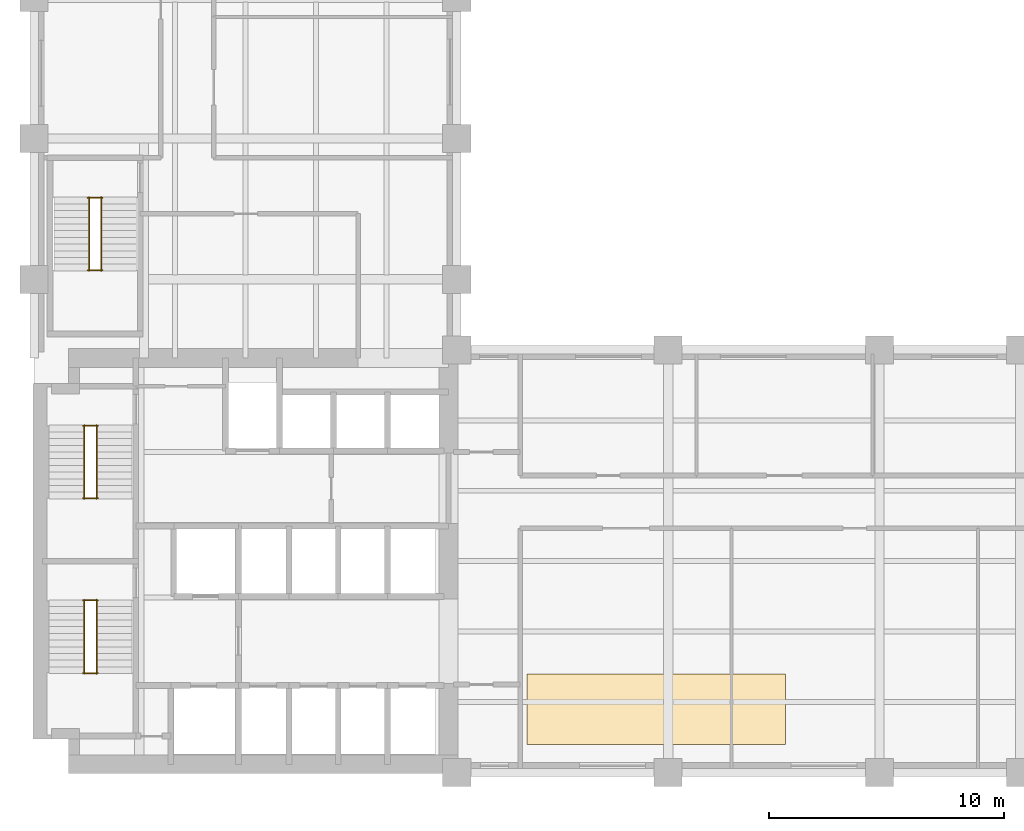
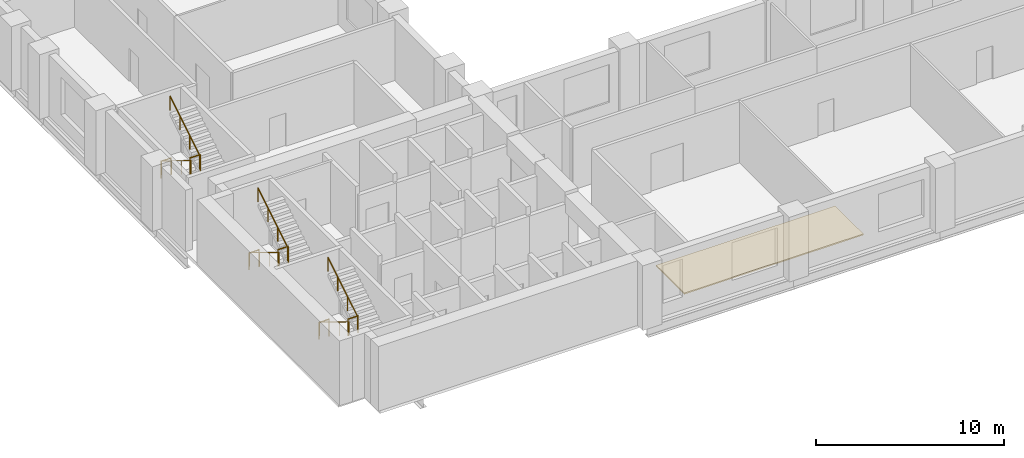
# One storey, part 7 of 7: 12 railings, 1 covering.
"""IFC4 building model written with IfcOpenShell, lengths in metres."""

from ifc_helpers import new_model, si_unit, direction, frame, origin, origin_2d, place, context, subcontext, project, spatial, polyline, circle, outline, extrude, material, layer, layer_set, type_object, element, save


model = new_model("IFC4")

# Units and contexts
model_context = context("Model", 3, precision=1e-05, world=origin(), true_north=direction((0.0, 1.0)))
body_context = subcontext(model_context, "Body", "Model", "MODEL_VIEW")
ifc_project = project(units=[si_unit("LENGTHUNIT", "METRE"), si_unit("AREAUNIT", "SQUARE_METRE"), si_unit("VOLUMEUNIT", "CUBIC_METRE"), si_unit("PLANEANGLEUNIT", "RADIAN"), si_unit("MASSUNIT", "GRAM", prefix="KILO")], contexts=[model_context])

# Site, building, storey
site_placement = place(None, origin())
site = spatial("IfcSite", under=ifc_project, at=site_placement, CompositionType="ELEMENT")
building_placement = place(site_placement, origin())
building = spatial("IfcBuilding", under=site, at=building_placement, Name="Mawjdan Bourse Tower", CompositionType="ELEMENT")
storey_placement = place(building_placement, frame((0.0, 0.0, 46.800048828125)))
storey = spatial("IfcBuildingStorey", under=building, at=storey_placement, Name="L10", CompositionType="ELEMENT", Elevation=46.800048828125)

# Covering
ifc_material_1 = material(Name="Calcium Sulphate Antistatic Raised Floor Tile")
ifc_layer = layer(ifc_material_1, 0.080078125)
ifc_layer_set = layer_set([ifc_layer], Name="Calcium Sulphate Antistatic Raised Floor Tile")
covering_type = type_object("IfcCoveringType", Name="COV-FLR-450", PredefinedType="FLOORING", material=ifc_layer_set)
covering_placement = place(storey_placement, origin())
element("IfcCovering", 1, at=covering_placement, inside=storey, type_object=covering_type, Name="L10 Antistatic Raised Access Trading Floor", PredefinedType="FLOORING", context=body_context, shape_type="SweptSolid", body=[
    extrude(outline(polyline([(27.0, 4.199951171875), (38.0, 4.199951171875), (38.0, 7.199951171875), (27.0, 7.199951171875), (27.0, 4.199951171875)])), origin(), (0.0, 0.0, 1.0), 0.079833984375),
])

# Railings
ifc_material_2 = material(Name="Structural Steel S355", Category="steel")
railing_type_1 = type_object("IfcRailingType", Name="RLG-GRD-1100", PredefinedType="GUARDRAIL", material=ifc_material_2)
for number, where, name in (
    (2, (8.090087890625, 7.235107421875, 2.099853515625), "L10 ST1 Landing Guardrail GL-MID"),
    (3, (8.090087890625, 10.330078125, 0.0), "L10 ST1 Landing Guardrail GL-BOT"),
    (4, (8.090087890625, 14.675048828125, 2.099853515625), "L10 ST2 Landing Guardrail GL-MID"),
    (5, (8.090087890625, 17.77001953125, 0.0), "L10 ST2 Landing Guardrail GL-BOT"),
    (6, (8.2900390625, 24.385009765625, 2.099853515625), "L10 ST3 Landing Guardrail GL-MID"),
    (7, (8.2900390625, 27.47998046875, 0.0), "L10 ST3 Landing Guardrail GL-BOT"),
):
    element("IfcRailing", number, at=place(storey_placement, frame(where)), inside=storey, type_object=railing_type_1, Name=name, PredefinedType="GUARDRAIL", context=body_context, shape_type="SweptSolid", body=[
        extrude(circle(Radius=0.02490234375, at=origin_2d()), frame((0.0, 0.0, 1.0751953125), z_axis=(1.0, 0.0, 0.0), x_axis=(0.0, 1.0, 0.0)), (0.0, 0.0, 1.0), 0.619873046875),
        extrude(circle(Radius=0.02099609375, at=origin_2d()), origin(), (0.0, 0.0, 1.0), 1.050048828125),
        extrude(circle(Radius=0.02099609375, at=origin_2d()), frame((0.619873046875, 0.0, 0.0)), (0.0, 0.0, 1.0), 1.050048828125),
    ])
ifc_material_3 = material(Name="Brushed Stainless Steel", Category="steel")
railing_type_2 = type_object("IfcRailingType", Name="RLG-HND-920", PredefinedType="HANDRAIL", material=ifc_material_3)
railing_1_placement = place(storey_placement, frame((8.139892578125, 10.35009765625, 0.175048828125)))
element("IfcRailing", 8, at=railing_1_placement, inside=storey, type_object=railing_type_2, Name="L10 ST1 Flight Handrail HR1", PredefinedType="HANDRAIL", context=body_context, shape_type="SweptSolid", body=[
    extrude(circle(Radius=0.0224609375, at=origin_2d()), frame((0.0, 0.0, 0.8974609375), z_axis=(0.0, -0.852195625947, 0.523223293744), x_axis=(1.0, 0.0, 0.0)), (0.0, 0.0, 1.0), 3.6787109375),
    extrude(circle(Radius=0.01904296875, at=origin_2d()), origin(), (0.0, 0.0, 1.0), 0.875),
    extrude(circle(Radius=0.01904296875, at=origin_2d()), frame((0.0, -1.044921875, 0.6416015625)), (0.0, 0.0, 1.0), 0.875),
    extrude(circle(Radius=0.01904296875, at=origin_2d()), frame((0.0, -2.090087890625, 1.283203125)), (0.0, 0.0, 1.0), 0.875),
    extrude(circle(Radius=0.01904296875, at=origin_2d()), frame((0.0, -3.135009765625, 1.9248046875)), (0.0, 0.0, 1.0), 0.875),
])
railing_2_placement = place(storey_placement, frame((8.659912109375, 7.215087890625, 2.27490234375)))
element("IfcRailing", 9, at=railing_2_placement, inside=storey, type_object=railing_type_2, Name="L10 ST1 Flight Handrail HR2", PredefinedType="HANDRAIL", context=body_context, shape_type="SweptSolid", body=[
    extrude(circle(Radius=0.0224609375, at=origin_2d()), frame((0.0, 0.0, 0.8974609375), z_axis=(0.0, 0.852166034122, 0.523271488128), x_axis=(-1.0, 0.0, 0.0)), (0.0, 0.0, 1.0), 3.678955078125),
    extrude(circle(Radius=0.01904296875, at=origin_2d()), origin(), (0.0, 0.0, 1.0), 0.875),
    extrude(circle(Radius=0.01904296875, at=origin_2d()), frame((0.0, 1.044921875, 0.6416015625)), (0.0, 0.0, 1.0), 0.875),
    extrude(circle(Radius=0.01904296875, at=origin_2d()), frame((0.0, 2.090087890625, 1.283447265625)), (0.0, 0.0, 1.0), 0.875),
    extrude(circle(Radius=0.01904296875, at=origin_2d()), frame((0.0, 3.135009765625, 1.925048828125)), (0.0, 0.0, 1.0), 0.875),
])
railing_3_placement = place(storey_placement, frame((8.139892578125, 17.7900390625, 0.175048828125)))
element("IfcRailing", 10, at=railing_3_placement, inside=storey, type_object=railing_type_2, Name="L10 ST2 Flight Handrail HR1", PredefinedType="HANDRAIL", context=body_context, shape_type="SweptSolid", body=[
    extrude(circle(Radius=0.0224609375, at=origin_2d()), frame((0.0, 0.0, 0.8974609375), z_axis=(0.0, -0.852195625947, 0.523223293744), x_axis=(1.0, 0.0, 0.0)), (0.0, 0.0, 1.0), 3.6787109375),
    extrude(circle(Radius=0.01904296875, at=origin_2d()), origin(), (0.0, 0.0, 1.0), 0.875),
    extrude(circle(Radius=0.01904296875, at=origin_2d()), frame((0.0, -1.044921875, 0.6416015625)), (0.0, 0.0, 1.0), 0.875),
    extrude(circle(Radius=0.01904296875, at=origin_2d()), frame((0.0, -2.090087890625, 1.283203125)), (0.0, 0.0, 1.0), 0.875),
    extrude(circle(Radius=0.01904296875, at=origin_2d()), frame((0.0, -3.135009765625, 1.9248046875)), (0.0, 0.0, 1.0), 0.875),
])
railing_4_placement = place(storey_placement, frame((8.659912109375, 14.655029296875, 2.27490234375)))
element("IfcRailing", 11, at=railing_4_placement, inside=storey, type_object=railing_type_2, Name="L10 ST2 Flight Handrail HR2", PredefinedType="HANDRAIL", context=body_context, shape_type="SweptSolid", body=[
    extrude(circle(Radius=0.0224609375, at=origin_2d()), frame((0.0, 0.0, 0.8974609375), z_axis=(0.0, 0.852166034122, 0.523271488128), x_axis=(-1.0, 0.0, 0.0)), (0.0, 0.0, 1.0), 3.678955078125),
    extrude(circle(Radius=0.01904296875, at=origin_2d()), origin(), (0.0, 0.0, 1.0), 0.875),
    extrude(circle(Radius=0.01904296875, at=origin_2d()), frame((0.0, 1.044921875, 0.6416015625)), (0.0, 0.0, 1.0), 0.875),
    extrude(circle(Radius=0.01904296875, at=origin_2d()), frame((0.0, 2.090087890625, 1.283447265625)), (0.0, 0.0, 1.0), 0.875),
    extrude(circle(Radius=0.01904296875, at=origin_2d()), frame((0.0, 3.135009765625, 1.925048828125)), (0.0, 0.0, 1.0), 0.875),
])
railing_5_placement = place(storey_placement, frame((8.340087890625, 27.5, 0.175048828125)))
element("IfcRailing", 12, at=railing_5_placement, inside=storey, type_object=railing_type_2, Name="L10 ST3 Flight Handrail HR1", PredefinedType="HANDRAIL", context=body_context, shape_type="SweptSolid", body=[
    extrude(circle(Radius=0.0224609375, at=origin_2d()), frame((0.0, 0.0, 0.8974609375), z_axis=(0.0, -0.852195625947, 0.523223293744), x_axis=(1.0, 0.0, 0.0)), (0.0, 0.0, 1.0), 3.6787109375),
    extrude(circle(Radius=0.01904296875, at=origin_2d()), origin(), (0.0, 0.0, 1.0), 0.875),
    extrude(circle(Radius=0.01904296875, at=origin_2d()), frame((0.0, -1.044921875, 0.6416015625)), (0.0, 0.0, 1.0), 0.875),
    extrude(circle(Radius=0.01904296875, at=origin_2d()), frame((0.0, -2.090087890625, 1.283203125)), (0.0, 0.0, 1.0), 0.875),
    extrude(circle(Radius=0.01904296875, at=origin_2d()), frame((0.0, -3.135009765625, 1.9248046875)), (0.0, 0.0, 1.0), 0.875),
])
railing_6_placement = place(storey_placement, frame((8.860107421875, 24.364990234375, 2.27490234375)))
element("IfcRailing", 13, at=railing_6_placement, inside=storey, type_object=railing_type_2, Name="L10 ST3 Flight Handrail HR2", PredefinedType="HANDRAIL", context=body_context, shape_type="SweptSolid", body=[
    extrude(circle(Radius=0.0224609375, at=origin_2d()), frame((0.0, 0.0, 0.8974609375), z_axis=(0.0, 0.852166034122, 0.523271488128), x_axis=(-1.0, 0.0, 0.0)), (0.0, 0.0, 1.0), 3.678955078125),
    extrude(circle(Radius=0.01904296875, at=origin_2d()), origin(), (0.0, 0.0, 1.0), 0.875),
    extrude(circle(Radius=0.01904296875, at=origin_2d()), frame((0.0, 1.044921875, 0.6416015625)), (0.0, 0.0, 1.0), 0.875),
    extrude(circle(Radius=0.01904296875, at=origin_2d()), frame((0.0, 2.090087890625, 1.283447265625)), (0.0, 0.0, 1.0), 0.875),
    extrude(circle(Radius=0.01904296875, at=origin_2d()), frame((0.0, 3.135009765625, 1.925048828125)), (0.0, 0.0, 1.0), 0.875),
])

save(model, "model.ifc")
